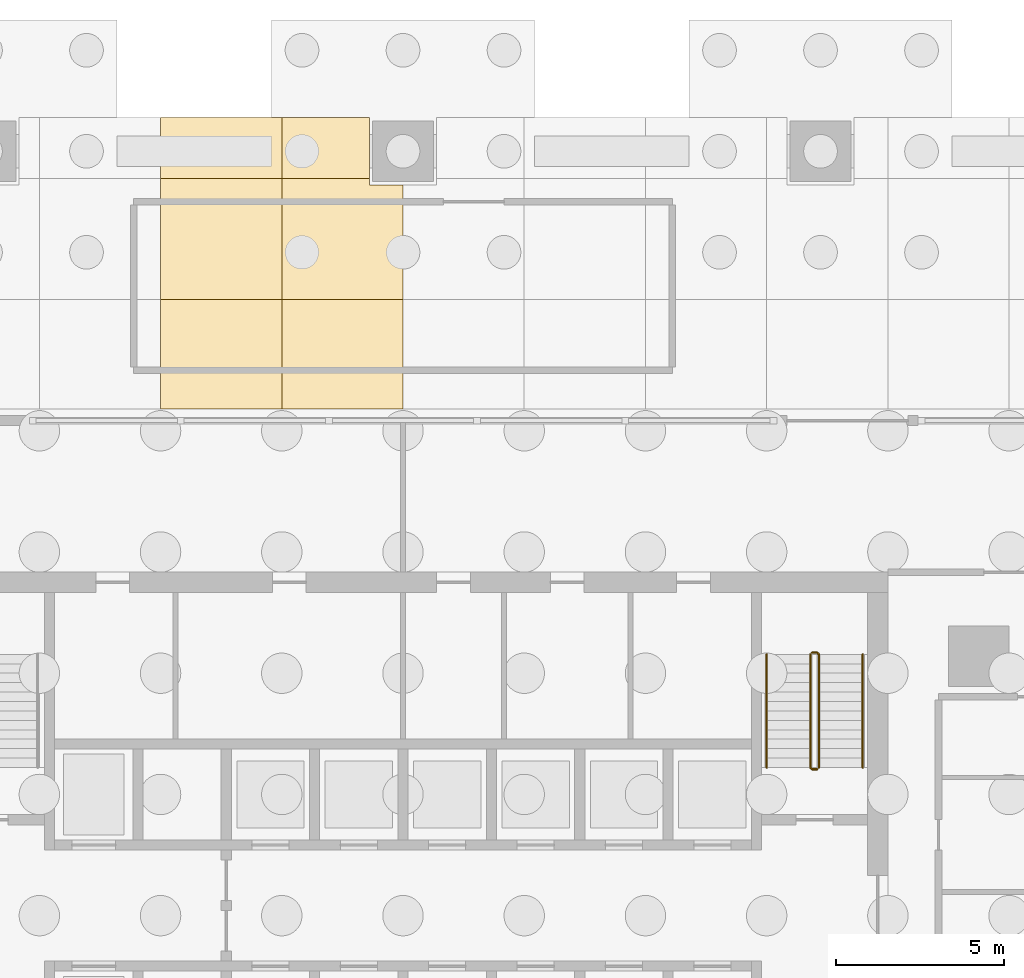
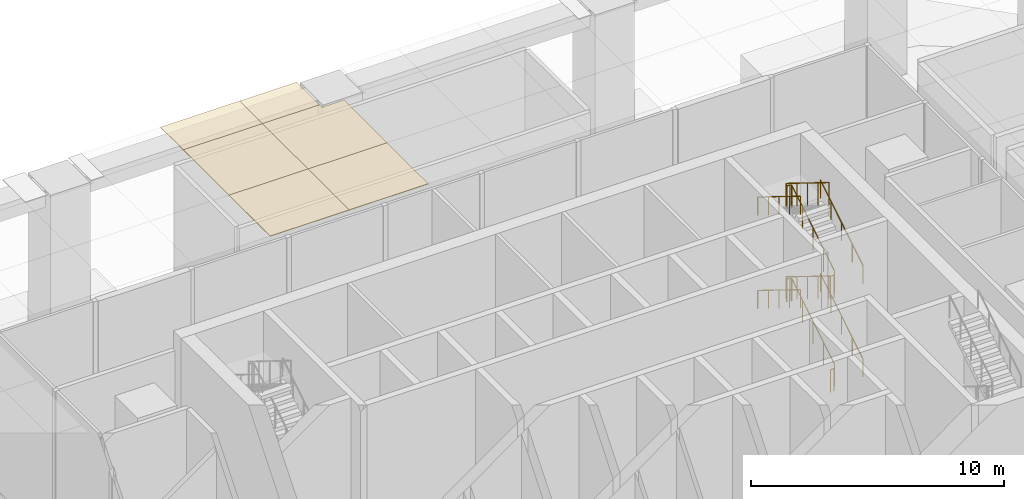
# One storey, part 16 of 18: 9 railings, 6 coverings.
"""IFC4 building model written with IfcOpenShell, lengths in metres."""

from ifc_helpers import new_model, si_unit, direction, frame, origin, origin_2d, place, context, subcontext, project, spatial, polyline, circle, outline, extrude, material, layer, layer_set, type_object, element, save


model = new_model("IFC4")

# Units and contexts
model_context = context("Model", 3, precision=1e-05, world=origin(), true_north=direction((0.0, 1.0)))
body_context = subcontext(model_context, "Body", "Model", "MODEL_VIEW")
ifc_project = project(units=[si_unit("LENGTHUNIT", "METRE"), si_unit("AREAUNIT", "SQUARE_METRE"), si_unit("VOLUMEUNIT", "CUBIC_METRE"), si_unit("PLANEANGLEUNIT", "RADIAN"), si_unit("MASSUNIT", "GRAM", prefix="KILO")], contexts=[model_context])

# Site, building, storey
site_placement = place(None, origin())
site = spatial("IfcSite", under=ifc_project, at=site_placement, CompositionType="ELEMENT")
building_placement = place(site_placement, origin())
building = spatial("IfcBuilding", under=site, at=building_placement, Name="Mopane Tessera Tower", CompositionType="ELEMENT")
storey_placement = place(building_placement, origin())
storey = spatial("IfcBuildingStorey", under=building, at=storey_placement, Name="L00", CompositionType="ELEMENT", Elevation=0.0)

# Railings
ifc_material_1 = material(Name="Powder-coated steel balustrade", Category="steel")
railing_type_1 = type_object("IfcRailingType", Name="Escape stair guard 1100 mm", PredefinedType="GUARDRAIL", material=ifc_material_1)
railing_1_placement = place(storey_placement, frame((12.35009765625, 7.699951171875, 0.173095703125)))
element("IfcRailing", 1, at=railing_1_placement, inside=storey, type_object=railing_type_1, Name="L00 ST4 stair guard 1", PredefinedType="GUARDRAIL", context=body_context, shape_type="SweptSolid", body=[
    extrude(circle(Radius=0.02392578125, at=origin_2d()), frame((0.0, 0.0, 1.076171875), z_axis=(0.0, 0.850623216509, 0.525775754039), x_axis=(-1.0, 0.0, 0.0)), (0.0, 0.0, 1.0), 3.9501953125),
    extrude(circle(Radius=0.02392578125, at=origin_2d()), frame((0.0, 3.360107421875, 3.15283203125), z_axis=(-0.707106781187, 0.707106781187, 0.0), x_axis=(-0.707106781187, -0.707106781187, 0.0)), (0.0, 0.0, 1.0), 0.07080078125),
    extrude(circle(Radius=0.02392578125, at=origin_2d()), frame((-0.050048828125, 3.41015625, 3.15283203125), z_axis=(-1.0, 0.0, 0.0), x_axis=(0.0, -1.0, 0.0)), (0.0, 0.0, 1.0), 0.150146484375),
    extrude(circle(Radius=0.02099609375, at=origin_2d()), origin(), (0.0, 0.0, 1.0), 1.052001953125),
    extrude(circle(Radius=0.02099609375, at=origin_2d()), frame((0.0, 0.840087890625, 0.519287109375)), (0.0, 0.0, 1.0), 1.052001953125),
    extrude(circle(Radius=0.02099609375, at=origin_2d()), frame((0.0, 1.68017578125, 1.03857421875)), (0.0, 0.0, 1.0), 1.052001953125),
    extrude(circle(Radius=0.02099609375, at=origin_2d()), frame((0.0, 2.52001953125, 1.5576171875)), (0.0, 0.0, 1.0), 1.052001953125),
    extrude(circle(Radius=0.02099609375, at=origin_2d()), frame((0.0, 3.360107421875, 2.076904296875)), (0.0, 0.0, 1.0), 1.052001953125),
    extrude(circle(Radius=0.02099609375, at=origin_2d()), frame((-0.050048828125, 3.41015625, 2.076904296875)), (0.0, 0.0, 1.0), 1.052001953125),
    extrude(circle(Radius=0.02099609375, at=origin_2d()), frame((-0.2001953125, 3.41015625, 2.076904296875)), (0.0, 0.0, 1.0), 1.052001953125),
])
railing_2_placement = place(storey_placement, frame((12.10009765625, 11.06005859375, 2.423095703125)))
element("IfcRailing", 2, at=railing_2_placement, inside=storey, type_object=railing_type_1, Name="L00 ST4 stair guard 2", PredefinedType="GUARDRAIL", context=body_context, shape_type="SweptSolid", body=[
    extrude(circle(Radius=0.02392578125, at=origin_2d()), frame((0.0, 0.0, 1.076171875), z_axis=(0.0, -0.850623216509, 0.525775754039), x_axis=(1.0, 0.0, 0.0)), (0.0, 0.0, 1.0), 3.9501953125),
    extrude(circle(Radius=0.02392578125, at=origin_2d()), frame((0.0, -3.360107421875, 3.15283203125), z_axis=(0.705375805398, -0.708833529934, 0.0), x_axis=(0.708833529934, 0.705375805398, 0.0)), (0.0, 0.0, 1.0), 0.070556640625),
    extrude(circle(Radius=0.02392578125, at=origin_2d()), frame((0.0498046875, -3.41015625, 3.15283203125), z_axis=(1.0, 0.0, 0.0), x_axis=(0.0, 1.0, 0.0)), (0.0, 0.0, 1.0), 0.150146484375),
    extrude(circle(Radius=0.02099609375, at=origin_2d()), origin(), (0.0, 0.0, 1.0), 1.052001953125),
    extrude(circle(Radius=0.02099609375, at=origin_2d()), frame((0.0, -0.840087890625, 0.519287109375)), (0.0, 0.0, 1.0), 1.052001953125),
    extrude(circle(Radius=0.02099609375, at=origin_2d()), frame((0.0, -1.68017578125, 1.03857421875)), (0.0, 0.0, 1.0), 1.052001953125),
    extrude(circle(Radius=0.02099609375, at=origin_2d()), frame((0.0, -2.52001953125, 1.5576171875)), (0.0, 0.0, 1.0), 1.052001953125),
    extrude(circle(Radius=0.02099609375, at=origin_2d()), frame((0.0, -3.360107421875, 2.076904296875)), (0.0, 0.0, 1.0), 1.052001953125),
    extrude(circle(Radius=0.02099609375, at=origin_2d()), frame((0.0498046875, -3.41015625, 2.076904296875)), (0.0, 0.0, 1.0), 1.052001953125),
    extrude(circle(Radius=0.02099609375, at=origin_2d()), frame((0.199951171875, -3.41015625, 2.076904296875)), (0.0, 0.0, 1.0), 1.052001953125),
])
railing_3_placement = place(storey_placement, frame((12.35009765625, 7.699951171875, 4.673095703125)))
element("IfcRailing", 3, at=railing_3_placement, inside=storey, type_object=railing_type_1, Name="L00 ST4 stair guard 3", PredefinedType="GUARDRAIL", context=body_context, shape_type="SweptSolid", body=[
    extrude(circle(Radius=0.02392578125, at=origin_2d()), frame((0.0, 0.0, 1.076171875), z_axis=(0.0, 0.850623216509, 0.525775754039), x_axis=(-1.0, 0.0, 0.0)), (0.0, 0.0, 1.0), 3.9501953125),
    extrude(circle(Radius=0.02392578125, at=origin_2d()), frame((0.0, 3.360107421875, 3.15283203125), z_axis=(-0.707106781187, 0.707106781187, 0.0), x_axis=(-0.707106781187, -0.707106781187, 0.0)), (0.0, 0.0, 1.0), 0.07080078125),
    extrude(circle(Radius=0.02392578125, at=origin_2d()), frame((-0.050048828125, 3.41015625, 3.15283203125), z_axis=(-1.0, 0.0, 0.0), x_axis=(0.0, -1.0, 0.0)), (0.0, 0.0, 1.0), 0.150146484375),
    extrude(circle(Radius=0.02099609375, at=origin_2d()), origin(), (0.0, 0.0, 1.0), 1.052001953125),
    extrude(circle(Radius=0.02099609375, at=origin_2d()), frame((0.0, 0.840087890625, 0.519287109375)), (0.0, 0.0, 1.0), 1.052001953125),
    extrude(circle(Radius=0.02099609375, at=origin_2d()), frame((0.0, 1.68017578125, 1.03857421875)), (0.0, 0.0, 1.0), 1.052001953125),
    extrude(circle(Radius=0.02099609375, at=origin_2d()), frame((0.0, 2.52001953125, 1.5576171875)), (0.0, 0.0, 1.0), 1.052001953125),
    extrude(circle(Radius=0.02099609375, at=origin_2d()), frame((0.0, 3.360107421875, 2.076904296875)), (0.0, 0.0, 1.0), 1.052001953125),
    extrude(circle(Radius=0.02099609375, at=origin_2d()), frame((-0.050048828125, 3.41015625, 2.076904296875)), (0.0, 0.0, 1.0), 1.052001953125),
    extrude(circle(Radius=0.02099609375, at=origin_2d()), frame((-0.2001953125, 3.41015625, 2.076904296875)), (0.0, 0.0, 1.0), 1.052001953125),
])
railing_4_placement = place(storey_placement, frame((12.10009765625, 11.06005859375, 6.923095703125)))
element("IfcRailing", 4, at=railing_4_placement, inside=storey, type_object=railing_type_1, Name="L00 ST4 stair guard 4", PredefinedType="GUARDRAIL", context=body_context, shape_type="SweptSolid", body=[
    extrude(circle(Radius=0.02392578125, at=origin_2d()), frame((0.0, 0.0, 1.076171875), z_axis=(0.0, -0.850623216509, 0.525775754039), x_axis=(1.0, 0.0, 0.0)), (0.0, 0.0, 1.0), 3.9501953125),
    extrude(circle(Radius=0.02099609375, at=origin_2d()), origin(), (0.0, 0.0, 1.0), 1.052001953125),
    extrude(circle(Radius=0.02099609375, at=origin_2d()), frame((0.0, -0.840087890625, 0.519287109375)), (0.0, 0.0, 1.0), 1.052001953125),
    extrude(circle(Radius=0.02099609375, at=origin_2d()), frame((0.0, -1.68017578125, 1.03857421875)), (0.0, 0.0, 1.0), 1.052001953125),
    extrude(circle(Radius=0.02099609375, at=origin_2d()), frame((0.0, -2.52001953125, 1.5576171875)), (0.0, 0.0, 1.0), 1.052001953125),
    extrude(circle(Radius=0.02099609375, at=origin_2d()), frame((0.0, -3.360107421875, 2.076904296875)), (0.0, 0.0, 1.0), 1.052001953125),
])
railing_5_placement = place(storey_placement, frame((12.300048828125, 7.64990234375, 0.0)))
element("IfcRailing", 5, at=railing_5_placement, inside=storey, type_object=railing_type_1, Name="L00 ST4 stair guard 5", PredefinedType="GUARDRAIL", context=body_context, shape_type="SweptSolid", body=[
    extrude(circle(Radius=0.02392578125, at=origin_2d()), frame((0.0, 0.0, 1.076171875), z_axis=(-1.0, 0.0, 0.0), x_axis=(0.0, -1.0, 0.0)), (0.0, 0.0, 1.0), 0.150146484375),
    extrude(circle(Radius=0.02099609375, at=origin_2d()), origin(), (0.0, 0.0, 1.0), 1.052001953125),
    extrude(circle(Radius=0.02099609375, at=origin_2d()), frame((-0.150146484375, 0.0, 0.0)), (0.0, 0.0, 1.0), 1.052001953125),
])
ifc_material_2 = material(Name="Powder-coated steel balustrade", Category="steel")
railing_type_2 = type_object("IfcRailingType", Name="Escape stair handrail 900 mm", PredefinedType="HANDRAIL", material=ifc_material_2)
railing_6_placement = place(storey_placement, frame((13.64990234375, 7.699951171875, 0.173095703125)))
element("IfcRailing", 6, at=railing_6_placement, inside=storey, type_object=railing_type_2, Name="L00 ST4 stair handrail 1", PredefinedType="HANDRAIL", context=body_context, shape_type="SweptSolid", body=[
    extrude(circle(Radius=0.02392578125, at=origin_2d()), frame((0.0, 0.0, 0.8759765625), z_axis=(0.0, 0.850623216509, 0.525775754039), x_axis=(-1.0, 0.0, 0.0)), (0.0, 0.0, 1.0), 3.9501953125),
    extrude(circle(Radius=0.02099609375, at=origin_2d()), origin(), (0.0, 0.0, 1.0), 0.851806640625),
    extrude(circle(Radius=0.02099609375, at=origin_2d()), frame((0.0, 0.840087890625, 0.519287109375)), (0.0, 0.0, 1.0), 0.851806640625),
    extrude(circle(Radius=0.02099609375, at=origin_2d()), frame((0.0, 1.68017578125, 1.03857421875)), (0.0, 0.0, 1.0), 0.851806640625),
    extrude(circle(Radius=0.02099609375, at=origin_2d()), frame((0.0, 2.52001953125, 1.5576171875)), (0.0, 0.0, 1.0), 0.851806640625),
    extrude(circle(Radius=0.02099609375, at=origin_2d()), frame((0.0, 3.360107421875, 2.076904296875)), (0.0, 0.0, 1.0), 0.851806640625),
])
railing_7_placement = place(storey_placement, frame((10.800048828125, 11.06005859375, 2.423095703125)))
element("IfcRailing", 7, at=railing_7_placement, inside=storey, type_object=railing_type_2, Name="L00 ST4 stair handrail 2", PredefinedType="HANDRAIL", context=body_context, shape_type="SweptSolid", body=[
    extrude(circle(Radius=0.02392578125, at=origin_2d()), frame((0.0, 0.0, 0.8759765625), z_axis=(0.0, -0.850623216509, 0.525775754039), x_axis=(1.0, 0.0, 0.0)), (0.0, 0.0, 1.0), 3.9501953125),
    extrude(circle(Radius=0.02099609375, at=origin_2d()), origin(), (0.0, 0.0, 1.0), 0.851806640625),
    extrude(circle(Radius=0.02099609375, at=origin_2d()), frame((0.0, -0.840087890625, 0.519287109375)), (0.0, 0.0, 1.0), 0.851806640625),
    extrude(circle(Radius=0.02099609375, at=origin_2d()), frame((0.0, -1.68017578125, 1.03857421875)), (0.0, 0.0, 1.0), 0.851806640625),
    extrude(circle(Radius=0.02099609375, at=origin_2d()), frame((0.0, -2.52001953125, 1.5576171875)), (0.0, 0.0, 1.0), 0.851806640625),
    extrude(circle(Radius=0.02099609375, at=origin_2d()), frame((0.0, -3.360107421875, 2.076904296875)), (0.0, 0.0, 1.0), 0.851806640625),
])
railing_8_placement = place(storey_placement, frame((13.64990234375, 7.699951171875, 4.673095703125)))
element("IfcRailing", 8, at=railing_8_placement, inside=storey, type_object=railing_type_2, Name="L00 ST4 stair handrail 3", PredefinedType="HANDRAIL", context=body_context, shape_type="SweptSolid", body=[
    extrude(circle(Radius=0.02392578125, at=origin_2d()), frame((0.0, 0.0, 0.8759765625), z_axis=(0.0, 0.850623216509, 0.525775754039), x_axis=(-1.0, 0.0, 0.0)), (0.0, 0.0, 1.0), 3.9501953125),
    extrude(circle(Radius=0.02099609375, at=origin_2d()), origin(), (0.0, 0.0, 1.0), 0.851806640625),
    extrude(circle(Radius=0.02099609375, at=origin_2d()), frame((0.0, 0.840087890625, 0.519287109375)), (0.0, 0.0, 1.0), 0.851806640625),
    extrude(circle(Radius=0.02099609375, at=origin_2d()), frame((0.0, 1.68017578125, 1.03857421875)), (0.0, 0.0, 1.0), 0.851806640625),
    extrude(circle(Radius=0.02099609375, at=origin_2d()), frame((0.0, 2.52001953125, 1.5576171875)), (0.0, 0.0, 1.0), 0.851806640625),
    extrude(circle(Radius=0.02099609375, at=origin_2d()), frame((0.0, 3.360107421875, 2.076904296875)), (0.0, 0.0, 1.0), 0.851806640625),
])
railing_9_placement = place(storey_placement, frame((10.800048828125, 11.06005859375, 6.923095703125)))
element("IfcRailing", 9, at=railing_9_placement, inside=storey, type_object=railing_type_2, Name="L00 ST4 stair handrail 4", PredefinedType="HANDRAIL", context=body_context, shape_type="SweptSolid", body=[
    extrude(circle(Radius=0.02392578125, at=origin_2d()), frame((0.0, 0.0, 0.8759765625), z_axis=(0.0, -0.850623216509, 0.525775754039), x_axis=(1.0, 0.0, 0.0)), (0.0, 0.0, 1.0), 3.9501953125),
    extrude(circle(Radius=0.02099609375, at=origin_2d()), origin(), (0.0, 0.0, 1.0), 0.851806640625),
    extrude(circle(Radius=0.02099609375, at=origin_2d()), frame((0.0, -0.840087890625, 0.519287109375)), (0.0, 0.0, 1.0), 0.851806640625),
    extrude(circle(Radius=0.02099609375, at=origin_2d()), frame((0.0, -1.68017578125, 1.03857421875)), (0.0, 0.0, 1.0), 0.851806640625),
    extrude(circle(Radius=0.02099609375, at=origin_2d()), frame((0.0, -2.52001953125, 1.5576171875)), (0.0, 0.0, 1.0), 0.851806640625),
    extrude(circle(Radius=0.02099609375, at=origin_2d()), frame((0.0, -3.360107421875, 2.076904296875)), (0.0, 0.0, 1.0), 0.851806640625),
])

# Coverings
ifc_material_3 = material(Name="Glazed ceramic tile")
ifc_layer = layer(ifc_material_3, 0.030029296875)
ifc_layer_set = layer_set([ifc_layer], Name="Glazed ceramic tile")
covering_type = type_object("IfcCoveringType", Name="Glazed tile soffit panel 3600 x 3600", PredefinedType="CEILING", material=ifc_layer_set)
covering_1_placement = place(storey_placement, frame((0.0, 0.0, 7.77001953125)))
element("IfcCovering", 10, at=covering_1_placement, inside=storey, type_object=covering_type, Name="e:tl:-2:5:0", PredefinedType="CEILING", context=body_context, shape_type="SweptSolid", body=[
    extrude(outline(polyline([(-7.199951171875, 18.35009765625), (-7.199951171875, 21.60009765625), (-3.60009765625, 21.60009765625), (-3.60009765625, 18.35009765625), (-7.199951171875, 18.35009765625)])), origin(), (0.0, 0.0, 1.0), 0.030029296875),
])
covering_2_placement = place(storey_placement, frame((0.0, 0.0, 7.77001953125)))
element("IfcCovering", 11, at=covering_2_placement, inside=storey, type_object=covering_type, Name="e:tl:-2:6:0", PredefinedType="CEILING", context=body_context, shape_type="SweptSolid", body=[
    extrude(outline(polyline([(-7.199951171875, 21.60009765625), (-7.199951171875, 25.199951171875), (-3.60009765625, 25.199951171875), (-3.60009765625, 21.60009765625), (-7.199951171875, 21.60009765625)])), origin(), (0.0, 0.0, 1.0), 0.030029296875),
])
covering_3_placement = place(storey_placement, frame((0.0, 0.0, 7.77001953125)))
element("IfcCovering", 12, at=covering_3_placement, inside=storey, type_object=covering_type, Name="e:tl:-2:7:0", PredefinedType="CEILING", context=body_context, shape_type="SweptSolid", body=[
    extrude(outline(polyline([(-3.60009765625, 27.0), (-3.60009765625, 25.199951171875), (-7.199951171875, 25.199951171875), (-7.199951171875, 27.0), (-3.60009765625, 27.0)])), origin(), (0.0, 0.0, 1.0), 0.030029296875),
])
covering_4_placement = place(storey_placement, frame((0.0, 0.0, 7.77001953125)))
element("IfcCovering", 13, at=covering_4_placement, inside=storey, type_object=covering_type, Name="e:tl:-1:5:0", PredefinedType="CEILING", context=body_context, shape_type="SweptSolid", body=[
    extrude(outline(polyline([(-3.60009765625, 18.35009765625), (-3.60009765625, 21.60009765625), (0.0, 21.60009765625), (0.0, 18.35009765625), (-3.60009765625, 18.35009765625)])), origin(), (0.0, 0.0, 1.0), 0.030029296875),
])
covering_5_placement = place(storey_placement, frame((0.0, 0.0, 7.77001953125)))
element("IfcCovering", 14, at=covering_5_placement, inside=storey, type_object=covering_type, Name="e:tl:-1:6:0", PredefinedType="CEILING", context=body_context, shape_type="SweptSolid", body=[
    extrude(outline(polyline([(-1.0, 25.0), (0.0, 25.0), (0.0, 21.60009765625), (-3.60009765625, 21.60009765625), (-3.60009765625, 25.199951171875), (-1.0, 25.199951171875), (-1.0, 25.0)])), origin(), (0.0, 0.0, 1.0), 0.030029296875),
])
covering_6_placement = place(storey_placement, frame((0.0, 0.0, 7.77001953125)))
element("IfcCovering", 15, at=covering_6_placement, inside=storey, type_object=covering_type, Name="e:tl:-1:7:0", PredefinedType="CEILING", context=body_context, shape_type="SweptSolid", body=[
    extrude(outline(polyline([(-1.0, 27.0), (-1.0, 25.199951171875), (-3.60009765625, 25.199951171875), (-3.60009765625, 27.0), (-1.0, 27.0)])), origin(), (0.0, 0.0, 1.0), 0.030029296875),
])

save(model, "model.ifc")
